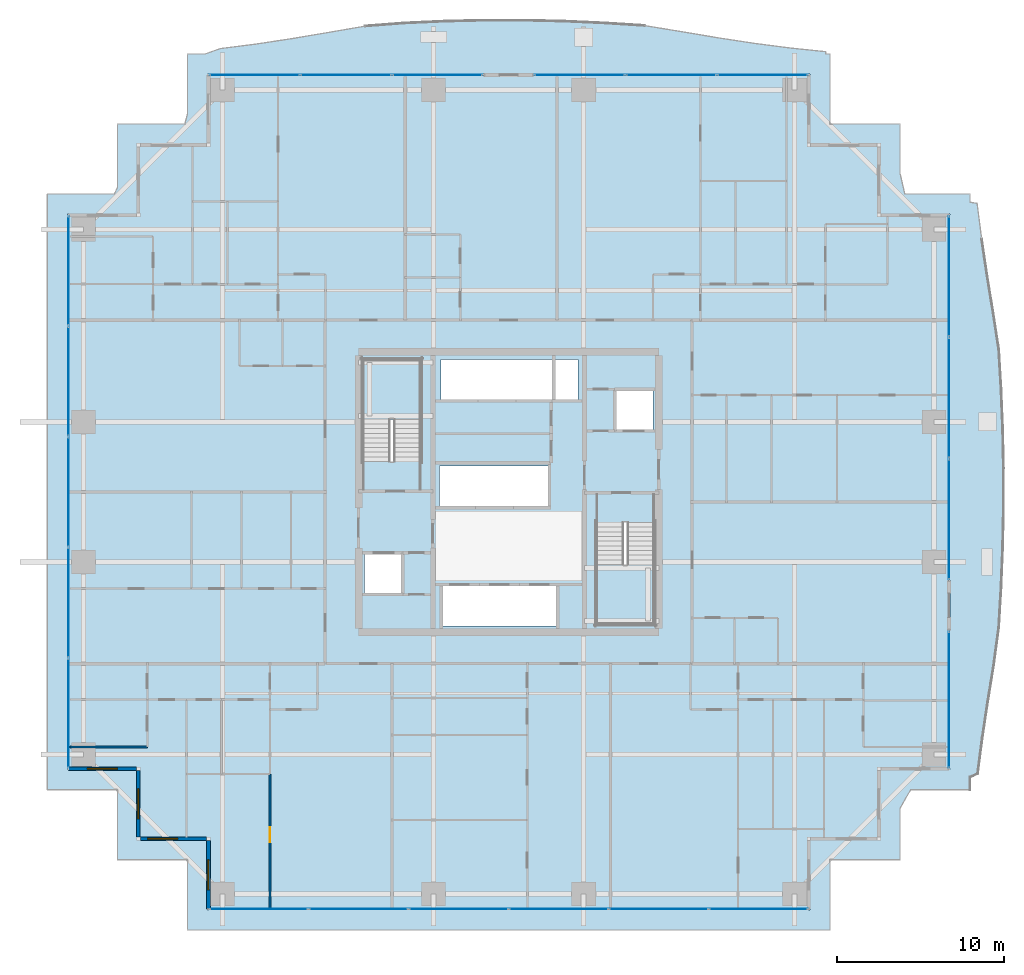
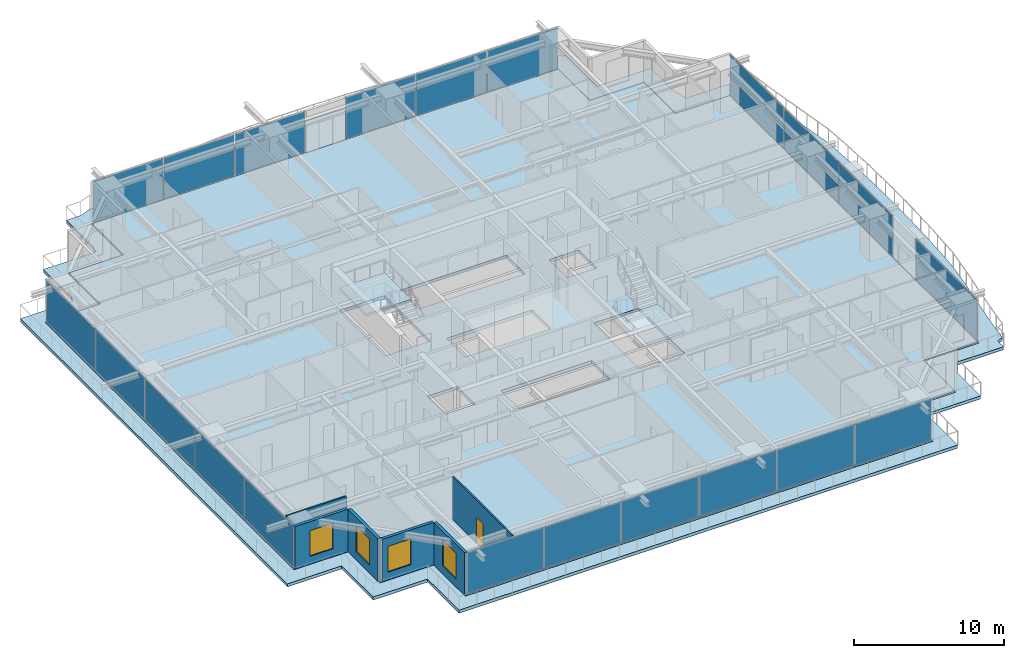
# One storey, part 26 of 38: 21 plates, 6 walls, 4 slabs, 4 windows, 1 door, 5 openings, 8 elements without a shape of their own.
"""IFC4 building model written with IfcOpenShell, lengths in metres."""

from ifc_helpers import new_model, si_unit, direction, frame, frame_2d, origin, origin_2d, place, context, subcontext, project, spatial, polyline, rectangle, outline, extrude, source, transform, mapped, material, layer, layer_set, type_object, element, fill, aggregate, save


model = new_model("IFC4")

# Units and contexts
model_context = context("Model", 3, precision=1e-05, world=origin(), true_north=direction((0.0, 1.0)))
body_context = subcontext(model_context, "Body", "Model", "MODEL_VIEW")
ifc_project = project(units=[si_unit("LENGTHUNIT", "METRE"), si_unit("AREAUNIT", "SQUARE_METRE"), si_unit("VOLUMEUNIT", "CUBIC_METRE"), si_unit("PLANEANGLEUNIT", "RADIAN"), si_unit("MASSUNIT", "GRAM", prefix="KILO")], contexts=[model_context])

# Site, building, storey
site_placement = place(None, origin())
site = spatial("IfcSite", under=ifc_project, at=site_placement, CompositionType="ELEMENT")
building_placement = place(site_placement, origin())
building = spatial("IfcBuilding", under=site, at=building_placement, Name="Serunith Strait Residences", CompositionType="ELEMENT")
storey_placement = place(building_placement, frame((0.0, 0.0, 37.949951171875)))
storey = spatial("IfcBuildingStorey", under=building, at=storey_placement, Name="L08", CompositionType="ELEMENT", Elevation=37.949951171875)

# Slab
ifc_material_1 = material(Name="Concrete C50/60", Category="concrete")
ifc_layer_1 = layer(ifc_material_1, 0.239990234375, Name="Concrete C50/60")
ifc_layer_set_1 = layer_set([ifc_layer_1], Name="Concrete C50/60")
slab_type_1 = type_object("IfcSlabType", Name="SLB-BALC-240", PredefinedType="FLOOR", material=ifc_layer_set_1)
slab_1_placement = place(storey_placement, frame((0.0, 0.0, -0.2900390625)))
element("IfcSlab", 1, at=slab_1_placement, inside=storey, type_object=slab_type_1, Name="L08 Planted Vertical-Forest Balcony Slab", PredefinedType="FLOOR", context=body_context, shape_type="SweptSolid", body=[
    extrude(outline(polyline([(12.981689453125, 47.260009765625), (13.139892578125, 47.858154296875), (13.139892578125, 51.4599609375), (14.2080078125, 51.4599609375), (15.104248046875, 51.78173828125), (17.22900390625, 52.05126953125), (19.3740234375, 52.375244140625), (21.556884765625, 52.74365234375), (23.79736328125, 53.130615234375), (26.15087890625, 53.3076171875), (28.543701171875, 53.416748046875), (30.9580078125, 53.473388671875), (33.380126953125, 53.472900390625), (35.79541015625, 53.415771484375), (38.190185546875, 53.307861328125), (40.5546875, 53.158935546875), (42.81103515625, 52.791015625), (45.00341796875, 52.421142578125), (47.1552734375, 52.093017578125), (49.284423828125, 51.817626953125), (51.4052734375, 51.59619140625), (51.404296875, 51.4599609375), (51.659912109375, 51.4599609375), (51.659912109375, 47.260009765625), (55.860107421875, 47.260009765625), (55.860107421875, 44.320068359375), (56.150390625, 43.06005859375), (60.06005859375, 43.06005859375), (60.06005859375, 42.572265625), (60.4833984375, 42.50390625), (60.758544921875, 40.372802734375), (61.080810546875, 38.218505859375), (61.4375, 36.02490234375), (61.787109375, 33.771240234375), (61.92529296875, 31.41650390625), (62.023681640625, 29.033935546875), (62.07421875, 26.633056640625), (62.073486328125, 24.225830078125), (62.021728515625, 21.824462890625), (61.92431640625, 19.4404296875), (61.788330078125, 17.0830078125), (61.480712890625, 14.808837890625), (61.123779296875, 12.606201171875), (60.798583984375, 10.44482421875), (60.519287109375, 8.30908203125), (60.06005859375, 8.097900390625), (60.06005859375, 7.340087890625), (56.494384765625, 7.340087890625), (55.860107421875, 6.227783203125), (55.860107421875, 3.139892578125), (51.659912109375, 3.139892578125), (51.659912109375, -1.06005859375), (13.139892578125, -1.06005859375), (13.139892578125, 3.139892578125), (8.93994140625, 3.139892578125), (8.93994140625, 7.340087890625), (4.739990234375, 7.340087890625), (4.739990234375, 43.06005859375), (8.7587890625, 43.06005859375), (8.93994140625, 43.457763671875), (8.93994140625, 47.260009765625), (12.981689453125, 47.260009765625)]), holes=[polyline([(50.455078125, 0.14501953125), (50.455078125, 4.344970703125), (54.655029296875, 4.344970703125), (54.655029296875, 8.544921875), (58.85498046875, 8.544921875), (58.85498046875, 41.85498046875), (54.655029296875, 41.85498046875), (54.655029296875, 46.054931640625), (50.455078125, 46.054931640625), (50.455078125, 50.2548828125), (14.344970703125, 50.2548828125), (14.344970703125, 46.054931640625), (10.14501953125, 46.054931640625), (10.14501953125, 41.85498046875), (5.945068359375, 41.85498046875), (5.945068359375, 8.544921875), (10.14501953125, 8.544921875), (10.14501953125, 4.344970703125), (14.344970703125, 4.344970703125), (14.344970703125, 0.14501953125), (50.455078125, 0.14501953125)])]), origin(), (0.0, 0.0, 1.0), 0.239990234375),
])

# Stair, slab
stair_type_1 = type_object("IfcStairType", Name="STR-CORE-1", PredefinedType="HALF_TURN_STAIR", material=ifc_material_1)
stair_1_placement = place(storey_placement, origin())
stair_1 = element("IfcStair", 2, at=stair_1_placement, inside=storey, type_object=stair_type_1, Name="L08 Protected Escape Stair ST-1", PredefinedType="HALF_TURN_STAIR")
ifc_layer_2 = layer(ifc_material_1, 0.199951171875, Name="Concrete C50/60")
ifc_layer_set_2 = layer_set([ifc_layer_2], Name="Concrete C50/60")
slab_type_2 = type_object("IfcSlabType", Name="SLB-LAND-200", PredefinedType="LANDING", material=ifc_layer_set_2)
slab_2_placement = place(storey_placement, frame((0.0, 0.0, 1.675048828125)))
slab_2 = element("IfcSlab", 3, at=slab_2_placement, type_object=slab_type_2, Name="ST-1 landing 1", PredefinedType="LANDING", context=body_context, shape_type="SweptSolid", body=[
    extrude(outline(polyline([(27.14990234375, 29.550048828125), (27.14990234375, 33.14990234375), (23.64990234375, 33.14990234375), (23.64990234375, 29.550048828125), (27.14990234375, 29.550048828125)])), origin(), (0.0, 0.0, 1.0), 0.199951171875),
])
aggregate(stair_1, [slab_2])

stair_type_2 = type_object("IfcStairType", Name="STR-CORE-2", PredefinedType="HALF_TURN_STAIR", material=ifc_material_1)
stair_2_placement = place(storey_placement, origin())
stair_2 = element("IfcStair", 4, at=stair_2_placement, inside=storey, type_object=stair_type_2, Name="L08 Protected Escape Stair ST-2", PredefinedType="HALF_TURN_STAIR")
slab_3_placement = place(storey_placement, frame((0.0, 0.0, 1.675048828125)))
slab_3 = element("IfcSlab", 5, at=slab_3_placement, type_object=slab_type_2, Name="ST-2 landing 1", PredefinedType="LANDING", context=body_context, shape_type="SweptSolid", body=[
    extrude(outline(polyline([(37.64990234375, 20.85009765625), (37.64990234375, 17.25), (41.14990234375, 17.25), (41.14990234375, 20.85009765625), (37.64990234375, 20.85009765625)])), origin(), (0.0, 0.0, 1.0), 0.199951171875),
])
aggregate(stair_2, [slab_3])

# Slab
ifc_material_2 = material(Name="Concrete C60/75", Category="concrete")
ifc_layer_3 = layer(ifc_material_2, 0.260009765625, Name="Concrete C60/75")
ifc_layer_set_3 = layer_set([ifc_layer_3], Name="Concrete C60/75")
slab_type_3 = type_object("IfcSlabType", Name="SLB-TWR-260-Z1", PredefinedType="FLOOR", material=ifc_layer_set_3)
slab_4_placement = place(storey_placement, frame((0.0, 0.0, -0.260009765625)))
element("IfcSlab", 6, at=slab_4_placement, inside=storey, type_object=slab_type_3, Name="L08 Structural Floor Plate", PredefinedType="FLOOR", context=body_context, shape_type="SweptSolid", body=[
    extrude(outline(polyline([(14.39990234375, 4.39990234375), (10.199951171875, 4.39990234375), (10.199951171875, 8.60009765625), (6.0, 8.60009765625), (6.0, 41.800048828125), (10.199951171875, 41.800048828125), (10.199951171875, 46.0), (14.39990234375, 46.0), (14.39990234375, 50.199951171875), (50.39990234375, 50.199951171875), (50.39990234375, 46.0), (54.60009765625, 46.0), (54.60009765625, 41.800048828125), (58.800048828125, 41.800048828125), (58.800048828125, 8.60009765625), (54.60009765625, 8.60009765625), (54.60009765625, 4.39990234375), (50.39990234375, 4.39990234375), (50.39990234375, 0.199951171875), (14.39990234375, 0.199951171875), (14.39990234375, 4.39990234375)]), holes=[polyline([(41.14990234375, 17.25), (41.14990234375, 23.3701171875), (37.64990234375, 23.3701171875), (37.64990234375, 17.25), (41.14990234375, 17.25)]), polyline([(41.050048828125, 31.25), (38.75, 31.25), (38.75, 28.85009765625), (41.050048828125, 28.85009765625), (41.050048828125, 31.25)]), polyline([(36.550048828125, 33.14990234375), (28.35009765625, 33.14990234375), (28.35009765625, 30.64990234375), (36.550048828125, 30.64990234375), (36.550048828125, 33.14990234375)]), polyline([(28.35009765625, 19.64990234375), (28.35009765625, 17.14990234375), (35.35009765625, 17.14990234375), (35.35009765625, 19.64990234375), (28.35009765625, 19.64990234375)]), polyline([(34.85009765625, 26.75), (28.25, 26.75), (28.25, 24.25), (34.85009765625, 24.25), (34.85009765625, 26.75)]), polyline([(23.64990234375, 33.14990234375), (23.64990234375, 27.030029296875), (27.14990234375, 27.030029296875), (27.14990234375, 33.14990234375), (23.64990234375, 33.14990234375)]), polyline([(26.050048828125, 21.550048828125), (23.75, 21.550048828125), (23.75, 19.14990234375), (26.050048828125, 19.14990234375), (26.050048828125, 21.550048828125)])]), origin(), (0.0, 0.0, 1.0), 0.260009765625),
])

# Curtain wall, plates
ifc_material_3 = material(Name="Pale-Champagne Anodised Aluminium", Category="aluminium")
ifc_layer_4 = layer(ifc_material_3, 0.199951171875, Name="Pale-Champagne Anodised Aluminium")
ifc_layer_set_4 = layer_set([ifc_layer_4], Name="Pale-Champagne Anodised Aluminium")
curtain_wall_type = type_object("IfcCurtainWallType", Name="CW-SYS1", PredefinedType="NOTDEFINED", material=ifc_layer_set_4)
curtain_wall_1_placement = place(storey_placement, origin())
curtain_wall_1 = element("IfcCurtainWall", 7, at=curtain_wall_1_placement, inside=storey, type_object=curtain_wall_type, Name="L08 S Unitised Fritted Curtain Wall", PredefinedType="NOTDEFINED")
ifc_material_4 = material(Name="Ceramic-Fritted Low-E Double Glazing 28mm", Category="glass")
ifc_layer_5 = layer(ifc_material_4, 0.028076171875, Name="Ceramic-Fritted Low-E Double Glazing 28mm")
ifc_layer_set_5 = layer_set([ifc_layer_5], Name="Ceramic-Fritted Low-E Double Glazing 28mm")
plate_type = type_object("IfcPlateType", Name="CW-SYS1-PNL", PredefinedType="CURTAIN_PANEL", material=ifc_layer_set_5)
shared_shape_1 = source(origin(), body_context, "Body", "SweptSolid", [
    extrude(rectangle(XDim=5.89501953125, YDim=0.028076171875, at=origin_2d()), origin(), (0.0, 0.0, 1.0), 3.35498046875),
])
plate_1_placement = place(storey_placement, frame((17.41748046875, 0.199951171875, 0.06005859375), z_axis=(0.0, 0.0, 1.0), x_axis=(1.0, 0.0, 0.0)))
plate_1 = element("IfcPlate", 8, at=plate_1_placement, type_object=plate_type, Name="CW-1 panel 1.1", PredefinedType="CURTAIN_PANEL", context=body_context, shape_type="MappedRepresentation", body=[
    mapped(shared_shape_1, transform((0.0, 0.0, 0.0), scale=1.0)),
])
plate_2_placement = place(storey_placement, frame((47.382568359375, 0.199951171875, 0.06005859375), z_axis=(0.0, 0.0, 1.0), x_axis=(1.0, 0.0, 0.0)))
plate_2 = element("IfcPlate", 9, at=plate_2_placement, type_object=plate_type, Name="CW-1 panel 6.1", PredefinedType="CURTAIN_PANEL", context=body_context, shape_type="MappedRepresentation", body=[
    mapped(shared_shape_1, transform((0.0, 0.0, 0.0), scale=1.0)),
])
shared_shape_2 = source(origin(), body_context, "Body", "SweptSolid", [
    extrude(rectangle(XDim=5.929931640625, YDim=0.028076171875, at=origin_2d()), origin(), (0.0, 0.0, 1.0), 3.35498046875),
])
plate_3_placement = place(storey_placement, frame((23.39990234375, 0.199951171875, 0.06005859375), z_axis=(0.0, 0.0, 1.0), x_axis=(1.0, 0.0, 0.0)))
plate_3 = element("IfcPlate", 10, at=plate_3_placement, type_object=plate_type, Name="CW-1 panel 2.1", PredefinedType="CURTAIN_PANEL", context=body_context, shape_type="MappedRepresentation", body=[
    mapped(shared_shape_2, transform((0.0, 0.0, 0.0), scale=1.0)),
])
plate_4_placement = place(storey_placement, frame((29.39990234375, 0.199951171875, 0.06005859375), z_axis=(0.0, 0.0, 1.0), x_axis=(1.0, 0.0, 0.0)))
plate_4 = element("IfcPlate", 11, at=plate_4_placement, type_object=plate_type, Name="CW-1 panel 3.1", PredefinedType="CURTAIN_PANEL", context=body_context, shape_type="MappedRepresentation", body=[
    mapped(shared_shape_2, transform((0.0, 0.0, 0.0), scale=1.0)),
])
plate_5_placement = place(storey_placement, frame((35.39990234375, 0.199951171875, 0.06005859375), z_axis=(0.0, 0.0, 1.0), x_axis=(1.0, 0.0, 0.0)))
plate_5 = element("IfcPlate", 12, at=plate_5_placement, type_object=plate_type, Name="CW-1 panel 4.1", PredefinedType="CURTAIN_PANEL", context=body_context, shape_type="MappedRepresentation", body=[
    mapped(shared_shape_2, transform((0.0, 0.0, 0.0), scale=1.0)),
])
plate_6_placement = place(storey_placement, frame((41.39990234375, 0.199951171875, 0.06005859375), z_axis=(0.0, 0.0, 1.0), x_axis=(1.0, 0.0, 0.0)))
plate_6 = element("IfcPlate", 13, at=plate_6_placement, type_object=plate_type, Name="CW-1 panel 5.1", PredefinedType="CURTAIN_PANEL", context=body_context, shape_type="MappedRepresentation", body=[
    mapped(shared_shape_2, transform((0.0, 0.0, 0.0), scale=1.0)),
])
aggregate(curtain_wall_1, [plate_1, plate_3, plate_4, plate_5, plate_6, plate_2])

curtain_wall_2_placement = place(storey_placement, origin())
curtain_wall_2 = element("IfcCurtainWall", 14, at=curtain_wall_2_placement, inside=storey, type_object=curtain_wall_type, Name="L08 N Unitised Fritted Curtain Wall", PredefinedType="NOTDEFINED")
shared_shape_3 = source(origin(), body_context, "Body", "SweptSolid", [
    extrude(rectangle(XDim=5.39501953125, YDim=0.028076171875, at=origin_2d()), origin(), (0.0, 0.0, 1.0), 3.35498046875),
])
plate_7_placement = place(storey_placement, frame((47.632568359375, 50.199951171875, 0.06005859375), z_axis=(0.0, 0.0, 1.0), x_axis=(-1.0, 0.0, 0.0)))
plate_7 = element("IfcPlate", 15, at=plate_7_placement, type_object=plate_type, Name="CW-1 panel 1.1", PredefinedType="CURTAIN_PANEL", context=body_context, shape_type="MappedRepresentation", body=[
    mapped(shared_shape_3, transform((0.0, 0.0, 0.0), scale=1.0)),
])
plate_8_placement = place(storey_placement, frame((36.66748046875, 50.199951171875, 0.06005859375), z_axis=(0.0, 0.0, 1.0), x_axis=(-1.0, 0.0, 0.0)))
plate_8 = element("IfcPlate", 16, at=plate_8_placement, type_object=plate_type, Name="CW-1 panel 3.1", PredefinedType="CURTAIN_PANEL", context=body_context, shape_type="MappedRepresentation", body=[
    mapped(shared_shape_3, transform((0.0, 0.0, 0.0), scale=1.0)),
])

curtain_wall_3_placement = place(storey_placement, origin())
curtain_wall_3 = element("IfcCurtainWall", 17, at=curtain_wall_3_placement, inside=storey, type_object=curtain_wall_type, Name="L08 N Unitised Fritted Curtain Wall", PredefinedType="NOTDEFINED")
plate_9_placement = place(storey_placement, frame((28.132568359375, 50.199951171875, 0.06005859375), z_axis=(0.0, 0.0, 1.0), x_axis=(-1.0, 0.0, 0.0)))
plate_9 = element("IfcPlate", 18, at=plate_9_placement, type_object=plate_type, Name="CW-1 panel 1.1", PredefinedType="CURTAIN_PANEL", context=body_context, shape_type="MappedRepresentation", body=[
    mapped(shared_shape_3, transform((0.0, 0.0, 0.0), scale=1.0)),
])
plate_10_placement = place(storey_placement, frame((17.16748046875, 50.199951171875, 0.06005859375), z_axis=(0.0, 0.0, 1.0), x_axis=(-1.0, 0.0, 0.0)))
plate_10 = element("IfcPlate", 19, at=plate_10_placement, type_object=plate_type, Name="CW-1 panel 3.1", PredefinedType="CURTAIN_PANEL", context=body_context, shape_type="MappedRepresentation", body=[
    mapped(shared_shape_3, transform((0.0, 0.0, 0.0), scale=1.0)),
])

# Plate
shared_shape_4 = source(origin(), body_context, "Body", "SweptSolid", [
    extrude(rectangle(XDim=5.429931640625, YDim=0.028076171875, at=origin_2d()), origin(), (0.0, 0.0, 1.0), 3.35498046875),
])
plate_11_placement = place(storey_placement, frame((42.14990234375, 50.199951171875, 0.06005859375), z_axis=(0.0, 0.0, 1.0), x_axis=(-1.0, 0.0, 0.0)))
plate_11 = element("IfcPlate", 20, at=plate_11_placement, type_object=plate_type, Name="CW-1 panel 2.1", PredefinedType="CURTAIN_PANEL", context=body_context, shape_type="MappedRepresentation", body=[
    mapped(shared_shape_4, transform((0.0, 0.0, 0.0), scale=1.0)),
])

aggregate(curtain_wall_2, [plate_7, plate_11, plate_8])

plate_12_placement = place(storey_placement, frame((22.64990234375, 50.199951171875, 0.06005859375), z_axis=(0.0, 0.0, 1.0), x_axis=(-1.0, 0.0, 0.0)))
plate_12 = element("IfcPlate", 21, at=plate_12_placement, type_object=plate_type, Name="CW-1 panel 2.1", PredefinedType="CURTAIN_PANEL", context=body_context, shape_type="MappedRepresentation", body=[
    mapped(shared_shape_4, transform((0.0, 0.0, 0.0), scale=1.0)),
])

aggregate(curtain_wall_3, [plate_9, plate_12, plate_10])

# Curtain wall, plates
curtain_wall_4_placement = place(storey_placement, origin())
curtain_wall_4 = element("IfcCurtainWall", 22, at=curtain_wall_4_placement, inside=storey, type_object=curtain_wall_type, Name="L08 W Unitised Fritted Curtain Wall", PredefinedType="NOTDEFINED")
shared_shape_5 = source(origin(), body_context, "Body", "SweptSolid", [
    extrude(rectangle(XDim=6.534912109375, YDim=0.028076171875, at=origin_2d()), origin(), (0.0, 0.0, 1.0), 3.35498046875),
])
plate_13_placement = place(storey_placement, frame((6.0, 38.46240234375, 0.06005859375), z_axis=(0.0, 0.0, 1.0), x_axis=(0.0, -1.0, 0.0)))
plate_13 = element("IfcPlate", 23, at=plate_13_placement, type_object=plate_type, Name="CW-1 panel 1.1", PredefinedType="CURTAIN_PANEL", context=body_context, shape_type="MappedRepresentation", body=[
    mapped(shared_shape_5, transform((0.0, 0.0, 0.0), scale=1.0)),
])
plate_14_placement = place(storey_placement, frame((6.0, 11.9375, 0.06005859375), z_axis=(0.0, 0.0, 1.0), x_axis=(0.0, -1.0, 0.0)))
plate_14 = element("IfcPlate", 24, at=plate_14_placement, type_object=plate_type, Name="CW-1 panel 5.1", PredefinedType="CURTAIN_PANEL", context=body_context, shape_type="MappedRepresentation", body=[
    mapped(shared_shape_5, transform((0.0, 0.0, 0.0), scale=1.0)),
])
shared_shape_6 = source(origin(), body_context, "Body", "SweptSolid", [
    extrude(rectangle(XDim=6.570068359375, YDim=0.028076171875, at=origin_2d()), origin(), (0.0, 0.0, 1.0), 3.35498046875),
])
plate_15_placement = place(storey_placement, frame((6.0, 31.840087890625, 0.06005859375), z_axis=(0.0, 0.0, 1.0), x_axis=(0.0, -1.0, 0.0)))
plate_15 = element("IfcPlate", 25, at=plate_15_placement, type_object=plate_type, Name="CW-1 panel 2.1", PredefinedType="CURTAIN_PANEL", context=body_context, shape_type="MappedRepresentation", body=[
    mapped(shared_shape_6, transform((0.0, 0.0, 0.0), scale=1.0)),
])
plate_16_placement = place(storey_placement, frame((6.0, 25.199951171875, 0.06005859375), z_axis=(0.0, 0.0, 1.0), x_axis=(0.0, -1.0, 0.0)))
plate_16 = element("IfcPlate", 26, at=plate_16_placement, type_object=plate_type, Name="CW-1 panel 3.1", PredefinedType="CURTAIN_PANEL", context=body_context, shape_type="MappedRepresentation", body=[
    mapped(shared_shape_6, transform((0.0, 0.0, 0.0), scale=1.0)),
])
plate_17_placement = place(storey_placement, frame((6.0, 18.56005859375, 0.06005859375), z_axis=(0.0, 0.0, 1.0), x_axis=(0.0, -1.0, 0.0)))
plate_17 = element("IfcPlate", 27, at=plate_17_placement, type_object=plate_type, Name="CW-1 panel 4.1", PredefinedType="CURTAIN_PANEL", context=body_context, shape_type="MappedRepresentation", body=[
    mapped(shared_shape_6, transform((0.0, 0.0, 0.0), scale=1.0)),
])
aggregate(curtain_wall_4, [plate_13, plate_15, plate_16, plate_17, plate_14])

# Curtain wall, plate
curtain_wall_5_placement = place(storey_placement, origin())
curtain_wall_5 = element("IfcCurtainWall", 28, at=curtain_wall_5_placement, inside=storey, type_object=curtain_wall_type, Name="L08 E Unitised Fritted Curtain Wall", PredefinedType="NOTDEFINED")
shared_shape_7 = source(origin(), body_context, "Body", "SweptSolid", [
    extrude(rectangle(XDim=8.159912109375, YDim=0.028076171875, at=origin_2d()), origin(), (0.0, 0.0, 1.0), 3.35498046875),
])
plate_18_placement = place(storey_placement, frame((58.800048828125, 12.75, 0.06005859375), z_axis=(0.0, 0.0, 1.0), x_axis=(0.0, 1.0, 0.0)))
plate_18 = element("IfcPlate", 29, at=plate_18_placement, type_object=plate_type, Name="CW-1 panel 1.1", PredefinedType="CURTAIN_PANEL", context=body_context, shape_type="MappedRepresentation", body=[
    mapped(shared_shape_7, transform((0.0, 0.0, 0.0), scale=1.0)),
])
aggregate(curtain_wall_5, [plate_18])

# Curtain wall, plates
curtain_wall_6_placement = place(storey_placement, origin())
curtain_wall_6 = element("IfcCurtainWall", 30, at=curtain_wall_6_placement, inside=storey, type_object=curtain_wall_type, Name="L08 E Unitised Fritted Curtain Wall", PredefinedType="NOTDEFINED")
shared_shape_8 = source(origin(), body_context, "Body", "SweptSolid", [
    extrude(rectangle(XDim=7.195068359375, YDim=0.028076171875, at=origin_2d()), origin(), (0.0, 0.0, 1.0), 3.35498046875),
])
plate_19_placement = place(storey_placement, frame((58.800048828125, 23.5673828125, 0.06005859375), z_axis=(0.0, 0.0, 1.0), x_axis=(0.0, 1.0, 0.0)))
plate_19 = element("IfcPlate", 31, at=plate_19_placement, type_object=plate_type, Name="CW-1 panel 1.1", PredefinedType="CURTAIN_PANEL", context=body_context, shape_type="MappedRepresentation", body=[
    mapped(shared_shape_8, transform((0.0, 0.0, 0.0), scale=1.0)),
])
plate_20_placement = place(storey_placement, frame((58.800048828125, 38.132568359375, 0.06005859375), z_axis=(0.0, 0.0, 1.0), x_axis=(0.0, 1.0, 0.0)))
plate_20 = element("IfcPlate", 32, at=plate_20_placement, type_object=plate_type, Name="CW-1 panel 3.1", PredefinedType="CURTAIN_PANEL", context=body_context, shape_type="MappedRepresentation", body=[
    mapped(shared_shape_8, transform((0.0, 0.0, 0.0), scale=1.0)),
])
shared_shape_9 = source(origin(), body_context, "Body", "SweptSolid", [
    extrude(rectangle(XDim=7.22998046875, YDim=0.028076171875, at=origin_2d()), origin(), (0.0, 0.0, 1.0), 3.35498046875),
])
plate_21_placement = place(storey_placement, frame((58.800048828125, 30.85009765625, 0.06005859375), z_axis=(0.0, 0.0, 1.0), x_axis=(0.0, 1.0, 0.0)))
plate_21 = element("IfcPlate", 33, at=plate_21_placement, type_object=plate_type, Name="CW-1 panel 2.1", PredefinedType="CURTAIN_PANEL", context=body_context, shape_type="MappedRepresentation", body=[
    mapped(shared_shape_9, transform((0.0, 0.0, 0.0), scale=1.0)),
])
aggregate(curtain_wall_6, [plate_19, plate_21, plate_20])

# Wall, opening, window
ifc_material_5 = material(Name="Pale-Champagne Aluminium Insulated Panel", Category="aluminium")
ifc_layer_6 = layer(ifc_material_5, 0.219970703125, Name="Pale-Champagne Aluminium Insulated Panel")
ifc_layer_set_6 = layer_set([ifc_layer_6], Name="Pale-Champagne Aluminium Insulated Panel")
wall_type_1 = type_object("IfcWallType", Name="EW-ALUM-220", PredefinedType="ELEMENTEDWALL", material=ifc_layer_set_6)
wall_1_placement = place(storey_placement, frame((6.0, 8.60009765625, 0.0), z_axis=(0.0, 0.0, 1.0), x_axis=(1.0, 0.0, 0.0)))
wall_1 = element("IfcWall", 34, at=wall_1_placement, inside=storey, type_object=wall_type_1, Name="L08 Girih Serrated Corner Wall 17", PredefinedType="ELEMENTEDWALL", context=body_context, shape_type="SweptSolid", body=[
    extrude(rectangle(XDim=4.090087890625, YDim=0.219970703125, at=frame_2d((2.044921875, 0.0))), origin(), (0.0, 0.0, 1.0), 3.47509765625),
])
opening_1_placement = place(wall_1_placement, frame((1.14501953125, 0.0, 0.64990234375)))
opening_1 = element("IfcOpeningElement", 35, at=opening_1_placement, cuts=wall_1, Name="Opening W-01", PredefinedType="OPENING", context=body_context, shape_type="SweptSolid", body=[
    extrude(rectangle(XDim=1.800048828125, YDim=2.10009765625, at=frame_2d((0.89990234375, 1.050048828125))), frame((0.0, 0.1201171875, 0.0), z_axis=(0.0, -1.0, 0.0), x_axis=(1.0, 0.0, 0.0)), (0.0, 0.0, 1.0), 0.239990234375),
])
ifc_material_6 = material(Name="Ceramic-Fritted Operable Aluminium Window Glass", Category="aluminium")
window_type = type_object("IfcWindowType", Name="WIN-C1", PartitioningType="DOUBLE_PANEL_VERTICAL", PredefinedType="WINDOW", material=ifc_material_6)
shared_shape_10 = source(origin(), body_context, "Body", "SweptSolid", [
    extrude(rectangle(XDim=1.800048828125, YDim=2.10009765625, at=frame_2d((0.89990234375, 1.050048828125))), frame((0.0, 0.030029296875, 0.0), z_axis=(0.0, -1.0, 0.0), x_axis=(1.0, 0.0, 0.0)), (0.0, 0.0, 1.0), 0.06005859375),
])
window_1_placement = place(opening_1_placement, origin())
window_1 = element("IfcWindow", 36, at=window_1_placement, inside=storey, type_object=window_type, Name="L08 Corner Operable Fritted Window 17", OverallHeight=2.10009765625, OverallWidth=1.800048828125, PartitioningType="SINGLE_PANEL", PredefinedType="WINDOW", context=body_context, shape_type="MappedRepresentation", body=[
    mapped(shared_shape_10, transform((0.0, 0.0, 0.0), scale=1.0)),
])
fill(opening_1, window_1)

wall_2_placement = place(storey_placement, frame((10.199951171875, 8.489990234375, 0.0), z_axis=(0.0, 0.0, 1.0), x_axis=(0.0, -1.0, 0.0)))
wall_2 = element("IfcWall", 37, at=wall_2_placement, inside=storey, type_object=wall_type_1, Name="L08 Girih Serrated Corner Wall 18", PredefinedType="ELEMENTEDWALL", context=body_context, shape_type="SweptSolid", body=[
    extrude(rectangle(XDim=3.97998046875, YDim=0.219970703125, at=frame_2d((1.989990234375, 0.0))), origin(), (0.0, 0.0, 1.0), 3.47509765625),
])
opening_2_placement = place(wall_2_placement, frame((1.090087890625, 0.0, 0.64990234375)))
opening_2 = element("IfcOpeningElement", 38, at=opening_2_placement, cuts=wall_2, Name="Opening W-01", PredefinedType="OPENING", context=body_context, shape_type="SweptSolid", body=[
    extrude(rectangle(XDim=1.800048828125, YDim=2.10009765625, at=frame_2d((0.89990234375, 1.050048828125))), frame((0.0, 0.1201171875, 0.0), z_axis=(0.0, -1.0, 0.0), x_axis=(1.0, 0.0, 0.0)), (0.0, 0.0, 1.0), 0.239990234375),
])
window_2_placement = place(opening_2_placement, origin())
window_2 = element("IfcWindow", 39, at=window_2_placement, inside=storey, type_object=window_type, Name="L08 Corner Operable Fritted Window 18", OverallHeight=2.10009765625, OverallWidth=1.800048828125, PartitioningType="SINGLE_PANEL", PredefinedType="WINDOW", context=body_context, shape_type="MappedRepresentation", body=[
    mapped(shared_shape_10, transform((0.0, 0.0, 0.0), scale=1.0)),
])
fill(opening_2, window_2)

wall_3_placement = place(storey_placement, frame((10.31005859375, 4.39990234375, 0.0), z_axis=(0.0, 0.0, 1.0), x_axis=(1.0, 0.0, 0.0)))
wall_3 = element("IfcWall", 40, at=wall_3_placement, inside=storey, type_object=wall_type_1, Name="L08 Girih Serrated Corner Wall 19", PredefinedType="ELEMENTEDWALL", context=body_context, shape_type="SweptSolid", body=[
    extrude(rectangle(XDim=3.97998046875, YDim=0.219970703125, at=frame_2d((1.989990234375, 0.0))), origin(), (0.0, 0.0, 1.0), 3.47509765625),
])
opening_3_placement = place(wall_3_placement, frame((0.43603515625, 0.0, 0.64990234375)))
opening_3 = element("IfcOpeningElement", 41, at=opening_3_placement, cuts=wall_3, Name="Opening W-01", PredefinedType="OPENING", context=body_context, shape_type="SweptSolid", body=[
    extrude(rectangle(XDim=1.800048828125, YDim=2.10009765625, at=frame_2d((0.89990234375, 1.050048828125))), frame((0.0, 0.1201171875, 0.0), z_axis=(0.0, -1.0, 0.0), x_axis=(1.0, 0.0, 0.0)), (0.0, 0.0, 1.0), 0.239990234375),
])
window_3_placement = place(opening_3_placement, origin())
window_3 = element("IfcWindow", 42, at=window_3_placement, inside=storey, type_object=window_type, Name="L08 Corner Operable Fritted Window 19", OverallHeight=2.10009765625, OverallWidth=1.800048828125, PartitioningType="SINGLE_PANEL", PredefinedType="WINDOW", context=body_context, shape_type="MappedRepresentation", body=[
    mapped(shared_shape_10, transform((0.0, 0.0, 0.0), scale=1.0)),
])
fill(opening_3, window_3)

wall_4_placement = place(storey_placement, frame((14.39990234375, 4.2900390625, 0.0), z_axis=(0.0, 0.0, 1.0), x_axis=(0.0, -1.0, 0.0)))
wall_4 = element("IfcWall", 43, at=wall_4_placement, inside=storey, type_object=wall_type_1, Name="L08 Girih Serrated Corner Wall 20", PredefinedType="ELEMENTEDWALL", context=body_context, shape_type="SweptSolid", body=[
    extrude(rectangle(XDim=4.090087890625, YDim=0.219970703125, at=frame_2d((2.044921875, 0.0))), origin(), (0.0, 0.0, 1.0), 3.47509765625),
])
opening_4_placement = place(wall_4_placement, frame((1.14501953125, 0.0, 0.64990234375)))
opening_4 = element("IfcOpeningElement", 44, at=opening_4_placement, cuts=wall_4, Name="Opening W-01", PredefinedType="OPENING", context=body_context, shape_type="SweptSolid", body=[
    extrude(rectangle(XDim=1.800048828125, YDim=2.10009765625, at=frame_2d((0.89990234375, 1.050048828125))), frame((0.0, 0.1201171875, 0.0), z_axis=(0.0, -1.0, 0.0), x_axis=(1.0, 0.0, 0.0)), (0.0, 0.0, 1.0), 0.239990234375),
])
window_4_placement = place(opening_4_placement, origin())
window_4 = element("IfcWindow", 45, at=window_4_placement, inside=storey, type_object=window_type, Name="L08 Corner Operable Fritted Window 20", OverallHeight=2.10009765625, OverallWidth=1.800048828125, PartitioningType="SINGLE_PANEL", PredefinedType="WINDOW", context=body_context, shape_type="MappedRepresentation", body=[
    mapped(shared_shape_10, transform((0.0, 0.0, 0.0), scale=1.0)),
])
fill(opening_4, window_4)

# Wall, opening, door
ifc_material_7 = material(Name="Lightweight steel-stud gypsum partition", Category="steel")
ifc_layer_7 = layer(ifc_material_7, 0.1201171875, Name="Lightweight steel-stud gypsum partition")
ifc_layer_set_7 = layer_set([ifc_layer_7], Name="Lightweight steel-stud gypsum partition")
wall_type_2 = type_object("IfcWallType", Name="IW-PART-120", PredefinedType="PARTITIONING", material=ifc_layer_set_7)
wall_5_placement = place(storey_placement, frame((18.090087890625, 0.294921875, 0.0), z_axis=(0.0, 0.0, 1.0), x_axis=(0.0, 1.0, 0.0)))
wall_5 = element("IfcWall", 46, at=wall_5_placement, inside=storey, type_object=wall_type_2, Name="L08 Partition Wall 034", PredefinedType="PARTITIONING", context=body_context, shape_type="SweptSolid", body=[
    extrude(rectangle(XDim=7.98095703125, YDim=0.1201171875, at=frame_2d((3.990478515625, 0.0))), origin(), (0.0, 0.0, 1.0), 3.489990234375),
])
opening_5_placement = place(wall_5_placement, frame((3.89501953125, 0.0, 0.0)))
opening_5 = element("IfcOpeningElement", 47, at=opening_5_placement, cuts=wall_5, Name="Opening D-RM900", PredefinedType="OPENING", context=body_context, shape_type="SweptSolid", body=[
    extrude(rectangle(XDim=0.89990234375, YDim=2.10009765625, at=frame_2d((0.449951171875, 1.050048828125))), frame((0.0, 0.070068359375, 0.0), z_axis=(0.0, -1.0, 0.0), x_axis=(1.0, 0.0, 0.0)), (0.0, 0.0, 1.0), 0.14013671875),
])
ifc_material_8 = material(Name="Engineered timber flush bedroom door", Category="wood")
door_type = type_object("IfcDoorType", Name="ID-ROOM-900", OperationType="NOTDEFINED", PredefinedType="DOOR", material=ifc_material_8)
shared_shape_11 = source(origin(), body_context, "Body", "SweptSolid", [
    extrude(rectangle(XDim=0.89990234375, YDim=2.10009765625, at=frame_2d((0.449951171875, 1.050048828125))), frame((0.0, 0.02490234375, 0.0), z_axis=(0.0, -1.0, 0.0), x_axis=(1.0, 0.0, 0.0)), (0.0, 0.0, 1.0), 0.050048828125),
])
door_placement = place(opening_5_placement, origin())
door = element("IfcDoor", 48, at=door_placement, inside=storey, type_object=door_type, Name="L08 Formal Dining Room 1 0801 Door", OperationType="SINGLE_SWING_RIGHT", OverallHeight=2.10009765625, OverallWidth=0.89990234375, PredefinedType="DOOR", context=body_context, shape_type="MappedRepresentation", body=[
    mapped(shared_shape_11, transform((0.0, 0.0, 0.0), scale=1.0)),
])
fill(opening_5, door)

# Wall
wall_6_placement = place(storey_placement, frame((6.094970703125, 9.89404296875, 0.0), z_axis=(0.0, 0.0, 1.0), x_axis=(1.0, 0.0, 0.0)))
element("IfcWall", 49, at=wall_6_placement, inside=storey, type_object=wall_type_2, Name="L08 Partition Wall 042", PredefinedType="PARTITIONING", context=body_context, shape_type="SweptSolid", body=[
    extrude(rectangle(XDim=4.635009765625, YDim=0.1201171875, at=frame_2d((2.3173828125, 0.0))), origin(), (0.0, 0.0, 1.0), 3.489990234375),
])

save(model, "model.ifc")
